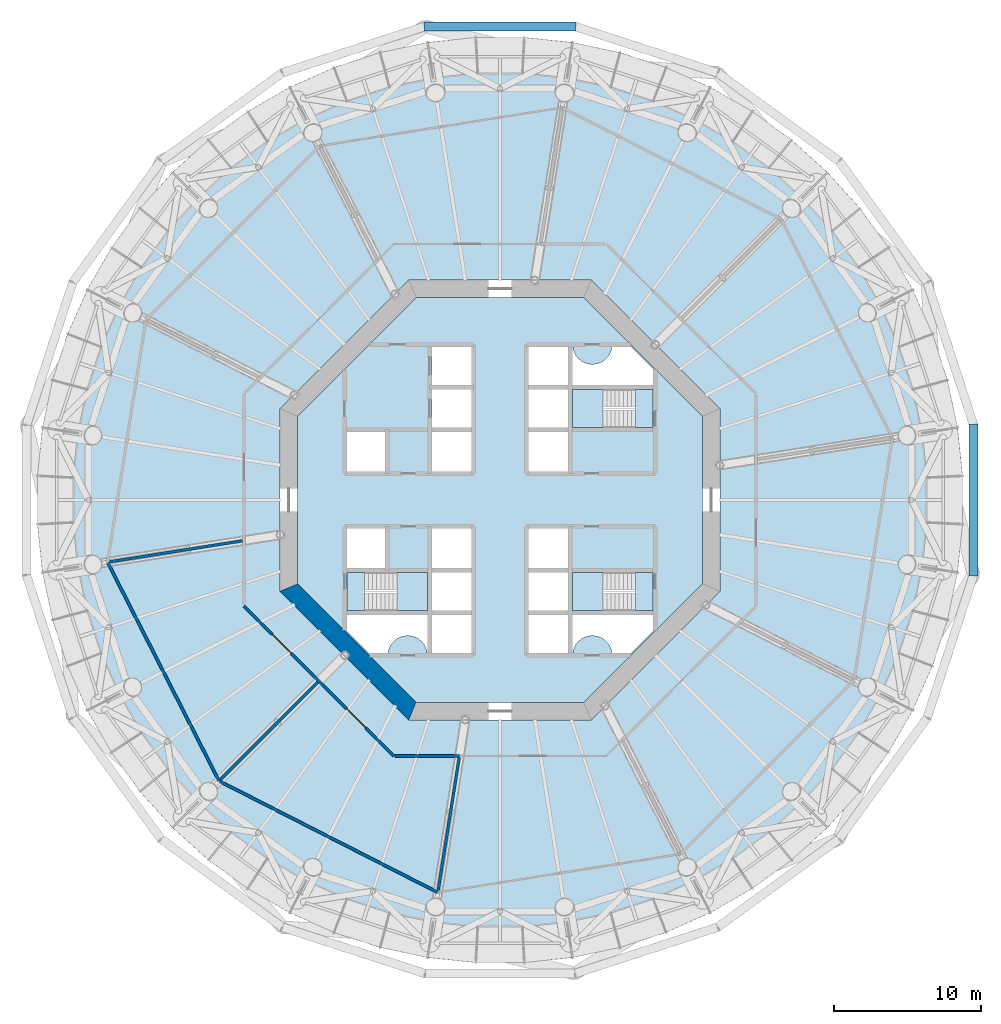
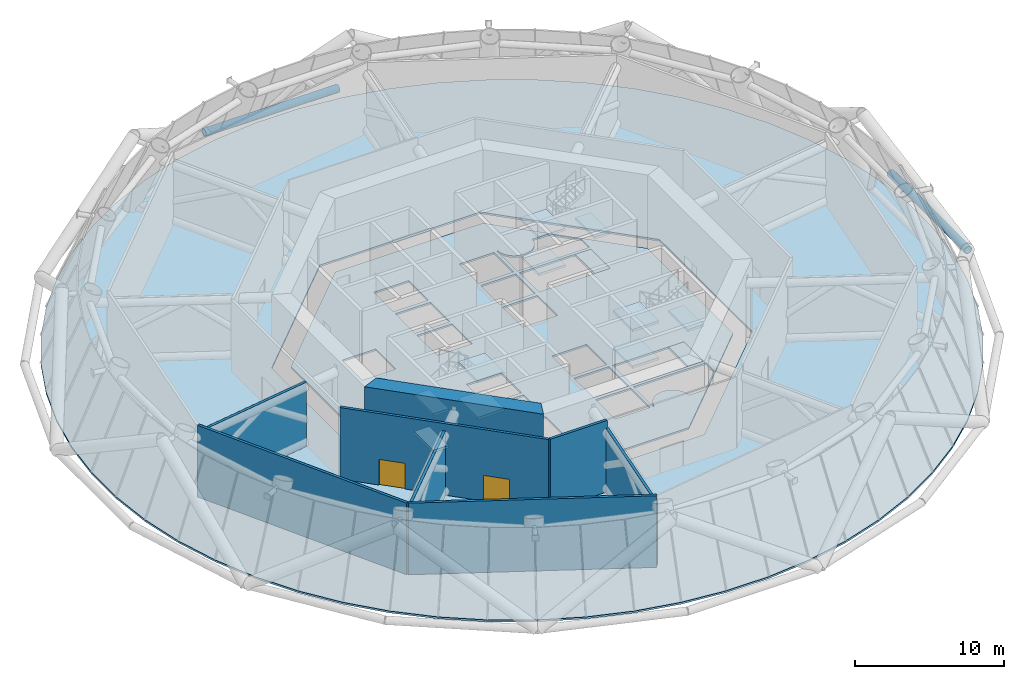
# One storey, part 7 of 18: 14 slabs, 8 walls, 2 doors, 2 members, 2 openings, 3 elements without a shape of their own.
"""IFC4 building model written with IfcOpenShell, lengths in metres."""

from ifc_helpers import new_model, si_unit, direction, frame, frame_2d, origin, origin_2d, place, context, subcontext, project, spatial, polyline, rectangle, circle, hollow_circle, outline, extrude, material, layer, layer_set, material_profile, profile_set, type_object, element, fill, aggregate, save


model = new_model("IFC4")

# Units and contexts
model_context = context("Model", 3, precision=1e-05, world=origin(), true_north=direction((0.0, 1.0)))
body_context = subcontext(model_context, "Body", "Model", "MODEL_VIEW")
ifc_project = project(units=[si_unit("LENGTHUNIT", "METRE"), si_unit("AREAUNIT", "SQUARE_METRE"), si_unit("VOLUMEUNIT", "CUBIC_METRE"), si_unit("PLANEANGLEUNIT", "RADIAN"), si_unit("MASSUNIT", "GRAM", prefix="KILO")], contexts=[model_context])

# Site, building, storey
site_placement = place(None, origin())
site = spatial("IfcSite", under=ifc_project, at=site_placement, CompositionType="ELEMENT")
building_placement = place(site_placement, origin())
building = spatial("IfcBuilding", under=site, at=building_placement, Name="Entoto Ring Tower", CompositionType="ELEMENT")
storey_placement = place(building_placement, frame((0.0, 0.0, 138.0)))
storey = spatial("IfcBuildingStorey", under=building, at=storey_placement, Name="L31", CompositionType="ELEMENT", Elevation=138.0)

# Members
ifc_material_1 = material(Name="Steel S355", Category="steel")
ifc_material_profile_1 = material_profile(ifc_material_1, hollow_circle(Radius=0.300048828125, WallThickness=0.030029296875, at=origin_2d()), Name="CHS 600 x 30")
ifc_material_2 = material(Name="Concrete C60/75", Category="concrete")
ifc_material_profile_2 = material_profile(ifc_material_2, circle(Radius=0.27001953125, at=origin_2d()), Name="Concrete C60/75 infill")
ifc_profile_set = profile_set([ifc_material_profile_1, ifc_material_profile_2], Name="Steel S355")
member_type = type_object("IfcMemberType", Name="Diagrid ring beam 600 x 30", PredefinedType="CHORD", material=ifc_profile_set)
for number, where, z_axis, x_axis, name in (
    (1, (95.182861328125, 112.29736328125, 0.0), (-1.0, 0.0, 0.0), (0.0, -1.0, 0.0), "DR1 ring 9 04"),
    (2, (122.29736328125, 74.817138671875, 0.0), (0.0, 1.0, 0.0), (-1.0, 0.0, 0.0), "DR1 ring 9 19"),
):
    element("IfcMember", number, at=place(storey_placement, frame(where, z_axis=z_axis, x_axis=x_axis)), inside=storey, type_object=member_type, Name=name, PredefinedType="CHORD", context=body_context, shape_type="SweptSolid", body=[
        extrude(hollow_circle(Radius=0.300048828125, WallThickness=0.030029296875, at=origin_2d()), origin(), (0.0, 0.0, 1.0), 10.36572265625),
    ])

# Slabs
ifc_material_3 = material(Name="Concrete C30/37", Category="concrete")
ifc_layer_1 = layer(ifc_material_3, 0.14990234375)
ifc_layer_set_1 = layer_set([ifc_layer_1], Name="Concrete C30/37")
slab_type_1 = type_object("IfcSlabType", Name="Composite floor slab 150 mm", PredefinedType="FLOOR", material=ifc_layer_set_1)
slab_1_placement = place(storey_placement, frame((0.0, 0.0, -0.14990234375)))
element("IfcSlab", 3, at=slab_1_placement, inside=storey, type_object=slab_type_1, Name="Floor slab L31", PredefinedType="FLOOR", context=body_context, shape_type="SweptSolid", body=[
    extrude(outline(polyline([(121.2109375, 84.943359375), (120.523193359375, 88.1787109375), (119.501220703125, 91.324462890625), (118.15576171875, 94.34619140625), (116.501953125, 97.210693359375), (114.557861328125, 99.886474609375), (112.344482421875, 102.344482421875), (109.886474609375, 104.557861328125), (107.210693359375, 106.501953125), (104.34619140625, 108.15576171875), (101.324462890625, 109.501220703125), (98.1787109375, 110.523193359375), (94.943359375, 111.2109375), (91.65380859375, 111.556640625), (88.34619140625, 111.556640625), (85.056640625, 111.2109375), (81.8212890625, 110.523193359375), (78.675537109375, 109.501220703125), (75.65380859375, 108.15576171875), (72.789306640625, 106.501953125), (70.113525390625, 104.557861328125), (67.655517578125, 102.344482421875), (65.442138671875, 99.886474609375), (63.498046875, 97.210693359375), (61.84423828125, 94.34619140625), (60.498779296875, 91.324462890625), (59.476806640625, 88.1787109375), (58.7890625, 84.943359375), (58.443359375, 81.65380859375), (58.443359375, 78.34619140625), (58.7890625, 75.056640625), (59.476806640625, 71.8212890625), (60.498779296875, 68.675537109375), (61.84423828125, 65.65380859375), (63.498046875, 62.789306640625), (65.442138671875, 60.113525390625), (67.655517578125, 57.655517578125), (70.113525390625, 55.442138671875), (72.789306640625, 53.498046875), (75.65380859375, 51.84423828125), (78.675537109375, 50.498779296875), (81.8212890625, 49.476806640625), (85.056640625, 48.7890625), (88.34619140625, 48.443359375), (91.65380859375, 48.443359375), (94.943359375, 48.7890625), (98.1787109375, 49.476806640625), (101.324462890625, 50.498779296875), (104.34619140625, 51.84423828125), (107.210693359375, 53.498046875), (109.886474609375, 55.442138671875), (112.344482421875, 57.655517578125), (114.557861328125, 60.113525390625), (116.501953125, 62.789306640625), (118.15576171875, 65.65380859375), (119.501220703125, 68.675537109375), (120.523193359375, 71.8212890625), (121.2109375, 75.056640625), (121.556640625, 78.34619140625), (121.556640625, 81.65380859375), (121.2109375, 84.943359375)]), holes=[polyline([(105.0, 73.786865234375), (105.0, 86.213134765625), (96.213134765625, 95.0), (83.786865234375, 95.0), (75.0, 86.213134765625), (75.0, 73.786865234375), (83.786865234375, 65.0), (96.213134765625, 65.0), (105.0, 73.786865234375)])]), origin(), (0.0, 0.0, 1.0), 0.14990234375),
])
ifc_material_4 = material(Name="Concrete C40/50", Category="concrete")
ifc_layer_2 = layer(ifc_material_4, 0.14990234375)
ifc_layer_set_2 = layer_set([ifc_layer_2], Name="Concrete C40/50")
slab_type_2 = type_object("IfcSlabType", Name="Core floor slab 150 mm reinforced concrete C40/50", PredefinedType="FLOOR", material=ifc_layer_set_2)
slab_2_placement = place(storey_placement, frame((0.0, 0.0, -0.14990234375)))
element("IfcSlab", 4, at=slab_2_placement, inside=storey, type_object=slab_type_2, Name="Core floor L31", PredefinedType="FLOOR", context=body_context, shape_type="SweptSolid", body=[
    extrude(outline(polyline([(103.800048828125, 74.283935546875), (103.800048828125, 85.716064453125), (95.716064453125, 93.800048828125), (84.283935546875, 93.800048828125), (76.199951171875, 85.716064453125), (76.199951171875, 74.283935546875), (84.283935546875, 66.199951171875), (95.716064453125, 66.199951171875), (103.800048828125, 74.283935546875)]), holes=[polyline([(100.449951171875, 84.949951171875), (100.449951171875, 87.550048828125), (94.949951171875, 87.550048828125), (94.949951171875, 84.949951171875), (100.449951171875, 84.949951171875)]), polyline([(85.050048828125, 72.449951171875), (85.050048828125, 75.050048828125), (79.550048828125, 75.050048828125), (79.550048828125, 72.449951171875), (85.050048828125, 72.449951171875)]), polyline([(100.449951171875, 72.449951171875), (100.449951171875, 75.050048828125), (94.949951171875, 75.050048828125), (94.949951171875, 72.449951171875), (100.449951171875, 72.449951171875)]), polyline([(91.949951171875, 84.949951171875), (94.64990234375, 84.949951171875), (94.64990234375, 87.550048828125), (91.949951171875, 87.550048828125), (91.949951171875, 84.949951171875)]), polyline([(91.949951171875, 72.449951171875), (94.64990234375, 72.449951171875), (94.64990234375, 75.050048828125), (91.949951171875, 75.050048828125), (91.949951171875, 72.449951171875)]), polyline([(91.949951171875, 69.550048828125), (94.64990234375, 69.550048828125), (94.64990234375, 72.14990234375), (91.949951171875, 72.14990234375), (91.949951171875, 69.550048828125)]), polyline([(85.35009765625, 72.449951171875), (88.050048828125, 72.449951171875), (88.050048828125, 75.050048828125), (85.35009765625, 75.050048828125), (85.35009765625, 72.449951171875)]), polyline([(85.35009765625, 81.949951171875), (88.050048828125, 81.949951171875), (88.050048828125, 84.64990234375), (85.35009765625, 84.64990234375), (85.35009765625, 81.949951171875)]), polyline([(91.949951171875, 75.35009765625), (94.64990234375, 75.35009765625), (94.64990234375, 78.050048828125), (91.949951171875, 78.050048828125), (91.949951171875, 75.35009765625)]), polyline([(79.550048828125, 81.949951171875), (82.14990234375, 81.949951171875), (82.14990234375, 84.64990234375), (79.550048828125, 84.64990234375), (79.550048828125, 81.949951171875)]), polyline([(79.550048828125, 75.35009765625), (82.14990234375, 75.35009765625), (82.14990234375, 78.050048828125), (79.550048828125, 78.050048828125), (79.550048828125, 75.35009765625)]), polyline([(91.949951171875, 87.85009765625), (94.64990234375, 87.85009765625), (94.64990234375, 90.449951171875), (91.949951171875, 90.449951171875), (91.949951171875, 87.85009765625)]), polyline([(85.35009765625, 69.550048828125), (88.050048828125, 69.550048828125), (88.050048828125, 72.14990234375), (85.35009765625, 72.14990234375), (85.35009765625, 69.550048828125)]), polyline([(91.949951171875, 81.949951171875), (94.64990234375, 81.949951171875), (94.64990234375, 84.64990234375), (91.949951171875, 84.64990234375), (91.949951171875, 81.949951171875)]), polyline([(85.35009765625, 75.35009765625), (88.050048828125, 75.35009765625), (88.050048828125, 78.050048828125), (85.35009765625, 78.050048828125), (85.35009765625, 75.35009765625)]), polyline([(85.35009765625, 84.949951171875), (88.050048828125, 84.949951171875), (88.050048828125, 87.550048828125), (85.35009765625, 87.550048828125), (85.35009765625, 84.949951171875)]), polyline([(85.35009765625, 87.85009765625), (88.050048828125, 87.85009765625), (88.050048828125, 90.449951171875), (85.35009765625, 90.449951171875), (85.35009765625, 87.85009765625)]), polyline([(94.89990234375, 90.5), (94.89990234375, 87.800048828125), (100.5, 87.800048828125), (100.5, 88.874755859375), (98.874755859375, 90.5), (97.64501953125, 90.5), (97.6435546875, 90.4677734375), (97.6240234375, 90.336669921875), (97.591796875, 90.2080078125), (97.547119140625, 90.08349609375), (97.490478515625, 89.963623046875), (97.422607421875, 89.85009765625), (97.343505859375, 89.74365234375), (97.254638671875, 89.6455078125), (97.156494140625, 89.556396484375), (97.050048828125, 89.4775390625), (96.936279296875, 89.409423828125), (96.816650390625, 89.352783203125), (96.69189453125, 89.30810546875), (96.5634765625, 89.27587890625), (96.432373046875, 89.256591796875), (96.300048828125, 89.25), (96.167724609375, 89.256591796875), (96.03662109375, 89.27587890625), (95.908203125, 89.30810546875), (95.783447265625, 89.352783203125), (95.66357421875, 89.409423828125), (95.550048828125, 89.4775390625), (95.443603515625, 89.556396484375), (95.345458984375, 89.6455078125), (95.25634765625, 89.74365234375), (95.177490234375, 89.85009765625), (95.109375, 89.963623046875), (95.052734375, 90.08349609375), (95.008056640625, 90.2080078125), (94.975830078125, 90.336669921875), (94.95654296875, 90.4677734375), (94.954833984375, 90.5), (94.89990234375, 90.5)]), polyline([(79.5, 71.125244140625), (81.125244140625, 69.5), (82.35498046875, 69.5), (82.3564453125, 69.5322265625), (82.3759765625, 69.663330078125), (82.408203125, 69.7919921875), (82.452880859375, 69.91650390625), (82.509521484375, 70.036376953125), (82.577392578125, 70.14990234375), (82.656494140625, 70.25634765625), (82.745361328125, 70.3544921875), (82.843505859375, 70.443603515625), (82.949951171875, 70.5224609375), (83.063720703125, 70.590576171875), (83.183349609375, 70.647216796875), (83.30810546875, 70.69189453125), (83.4365234375, 70.72412109375), (83.567626953125, 70.743408203125), (83.699951171875, 70.75), (83.832275390625, 70.743408203125), (83.96337890625, 70.72412109375), (84.091796875, 70.69189453125), (84.216552734375, 70.647216796875), (84.33642578125, 70.590576171875), (84.449951171875, 70.5224609375), (84.556396484375, 70.443603515625), (84.654541015625, 70.3544921875), (84.74365234375, 70.25634765625), (84.822509765625, 70.14990234375), (84.890625, 70.036376953125), (84.947265625, 69.91650390625), (84.991943359375, 69.7919921875), (85.024169921875, 69.663330078125), (85.04345703125, 69.5322265625), (85.045166015625, 69.5), (85.10009765625, 69.5), (85.10009765625, 72.199951171875), (79.5, 72.199951171875), (79.5, 71.125244140625)]), polyline([(97.64501953125, 69.5), (98.874755859375, 69.5), (100.5, 71.125244140625), (100.5, 72.199951171875), (94.89990234375, 72.199951171875), (94.89990234375, 69.5), (94.954833984375, 69.5), (94.95654296875, 69.5322265625), (94.975830078125, 69.663330078125), (95.008056640625, 69.7919921875), (95.052734375, 69.91650390625), (95.109375, 70.036376953125), (95.177490234375, 70.14990234375), (95.25634765625, 70.25634765625), (95.345458984375, 70.3544921875), (95.443603515625, 70.443603515625), (95.550048828125, 70.5224609375), (95.66357421875, 70.590576171875), (95.783447265625, 70.647216796875), (95.908203125, 70.69189453125), (96.03662109375, 70.72412109375), (96.167724609375, 70.743408203125), (96.300048828125, 70.75), (96.432373046875, 70.743408203125), (96.5634765625, 70.72412109375), (96.69189453125, 70.69189453125), (96.816650390625, 70.647216796875), (96.936279296875, 70.590576171875), (97.050048828125, 70.5224609375), (97.156494140625, 70.443603515625), (97.254638671875, 70.3544921875), (97.343505859375, 70.25634765625), (97.422607421875, 70.14990234375), (97.490478515625, 70.036376953125), (97.547119140625, 69.91650390625), (97.591796875, 69.7919921875), (97.6240234375, 69.663330078125), (97.6435546875, 69.5322265625), (97.64501953125, 69.5)])]), origin(), (0.0, 0.0, 1.0), 0.14990234375),
])

# Stair, slabs
ifc_material_5 = material(Name="Concrete C40/50", Category="concrete")
stair_type = type_object("IfcStairType", Name="Exit stair 1200 mm dog-leg reinforced concrete", PredefinedType="HALF_TURN_STAIR", material=ifc_material_5)
stair_1_placement = place(storey_placement, origin())
stair_1 = element("IfcStair", 5, at=stair_1_placement, inside=storey, type_object=stair_type, Name="Exit stair 1", PredefinedType="HALF_TURN_STAIR")
ifc_material_6 = material(Name="Concrete C40/50", Category="concrete")
ifc_layer_3 = layer(ifc_material_6, 0.199951171875)
ifc_layer_set_3 = layer_set([ifc_layer_3], Name="Concrete C40/50")
slab_type_3 = type_object("IfcSlabType", Name="Stair landing 200 mm reinforced concrete", PredefinedType="LANDING", material=ifc_layer_set_3)
slab_3_placement = place(storey_placement, frame((0.0, 0.0, -0.199951171875)))
slab_3 = element("IfcSlab", 6, at=slab_3_placement, type_object=slab_type_3, Name="ST1 landing 1", PredefinedType="LANDING", context=body_context, shape_type="SweptSolid", body=[
    extrude(outline(polyline([(100.449951171875, 84.949951171875), (100.449951171875, 87.550048828125), (99.25, 87.550048828125), (99.25, 84.949951171875), (100.449951171875, 84.949951171875)])), origin(), (0.0, 0.0, 1.0), 0.199951171875),
])
slab_4_placement = place(storey_placement, frame((0.0, 0.0, 1.300048828125)))
slab_4 = element("IfcSlab", 7, at=slab_4_placement, type_object=slab_type_3, Name="ST1 landing 2", PredefinedType="LANDING", context=body_context, shape_type="SweptSolid", body=[
    extrude(outline(polyline([(94.949951171875, 84.949951171875), (97.010009765625, 84.949951171875), (97.010009765625, 87.550048828125), (94.949951171875, 87.550048828125), (94.949951171875, 84.949951171875)])), origin(), (0.0, 0.0, 1.0), 0.199951171875),
])
slab_5_placement = place(storey_placement, frame((0.0, 0.0, 2.800048828125)))
slab_5 = element("IfcSlab", 8, at=slab_5_placement, type_object=slab_type_3, Name="ST1 landing 3", PredefinedType="LANDING", context=body_context, shape_type="SweptSolid", body=[
    extrude(outline(polyline([(99.25, 84.949951171875), (100.449951171875, 84.949951171875), (100.449951171875, 87.550048828125), (99.25, 87.550048828125), (99.25, 84.949951171875)])), origin(), (0.0, 0.0, 1.0), 0.199951171875),
])
slab_6_placement = place(storey_placement, frame((0.0, 0.0, 4.300048828125)))
slab_6 = element("IfcSlab", 9, at=slab_6_placement, type_object=slab_type_3, Name="ST1 landing 4", PredefinedType="LANDING", context=body_context, shape_type="SweptSolid", body=[
    extrude(outline(polyline([(94.949951171875, 84.949951171875), (97.010009765625, 84.949951171875), (97.010009765625, 87.550048828125), (94.949951171875, 87.550048828125), (94.949951171875, 84.949951171875)])), origin(), (0.0, 0.0, 1.0), 0.199951171875),
])
aggregate(stair_1, [slab_3, slab_4, slab_5, slab_6])

stair_2_placement = place(storey_placement, origin())
stair_2 = element("IfcStair", 10, at=stair_2_placement, inside=storey, type_object=stair_type, Name="Exit stair 2", PredefinedType="HALF_TURN_STAIR")
slab_7_placement = place(storey_placement, frame((0.0, 0.0, -0.199951171875)))
slab_7 = element("IfcSlab", 11, at=slab_7_placement, type_object=slab_type_3, Name="ST2 landing 1", PredefinedType="LANDING", context=body_context, shape_type="SweptSolid", body=[
    extrude(outline(polyline([(80.75, 72.449951171875), (80.75, 75.050048828125), (79.550048828125, 75.050048828125), (79.550048828125, 72.449951171875), (80.75, 72.449951171875)])), origin(), (0.0, 0.0, 1.0), 0.199951171875),
])
slab_8_placement = place(storey_placement, frame((0.0, 0.0, 1.300048828125)))
slab_8 = element("IfcSlab", 12, at=slab_8_placement, type_object=slab_type_3, Name="ST2 landing 2", PredefinedType="LANDING", context=body_context, shape_type="SweptSolid", body=[
    extrude(outline(polyline([(82.989990234375, 72.449951171875), (85.050048828125, 72.449951171875), (85.050048828125, 75.050048828125), (82.989990234375, 75.050048828125), (82.989990234375, 72.449951171875)])), origin(), (0.0, 0.0, 1.0), 0.199951171875),
])
slab_9_placement = place(storey_placement, frame((0.0, 0.0, 2.800048828125)))
slab_9 = element("IfcSlab", 13, at=slab_9_placement, type_object=slab_type_3, Name="ST2 landing 3", PredefinedType="LANDING", context=body_context, shape_type="SweptSolid", body=[
    extrude(outline(polyline([(79.550048828125, 72.449951171875), (80.75, 72.449951171875), (80.75, 75.050048828125), (79.550048828125, 75.050048828125), (79.550048828125, 72.449951171875)])), origin(), (0.0, 0.0, 1.0), 0.199951171875),
])
slab_10_placement = place(storey_placement, frame((0.0, 0.0, 4.300048828125)))
slab_10 = element("IfcSlab", 14, at=slab_10_placement, type_object=slab_type_3, Name="ST2 landing 4", PredefinedType="LANDING", context=body_context, shape_type="SweptSolid", body=[
    extrude(outline(polyline([(82.989990234375, 72.449951171875), (85.050048828125, 72.449951171875), (85.050048828125, 75.050048828125), (82.989990234375, 75.050048828125), (82.989990234375, 72.449951171875)])), origin(), (0.0, 0.0, 1.0), 0.199951171875),
])
aggregate(stair_2, [slab_7, slab_8, slab_9, slab_10])

stair_3_placement = place(storey_placement, origin())
stair_3 = element("IfcStair", 15, at=stair_3_placement, inside=storey, type_object=stair_type, Name="Exit stair 3", PredefinedType="HALF_TURN_STAIR")
slab_11_placement = place(storey_placement, frame((0.0, 0.0, -0.199951171875)))
slab_11 = element("IfcSlab", 16, at=slab_11_placement, type_object=slab_type_3, Name="ST3 landing 1", PredefinedType="LANDING", context=body_context, shape_type="SweptSolid", body=[
    extrude(outline(polyline([(100.449951171875, 72.449951171875), (100.449951171875, 75.050048828125), (99.25, 75.050048828125), (99.25, 72.449951171875), (100.449951171875, 72.449951171875)])), origin(), (0.0, 0.0, 1.0), 0.199951171875),
])
slab_12_placement = place(storey_placement, frame((0.0, 0.0, 1.300048828125)))
slab_12 = element("IfcSlab", 17, at=slab_12_placement, type_object=slab_type_3, Name="ST3 landing 2", PredefinedType="LANDING", context=body_context, shape_type="SweptSolid", body=[
    extrude(outline(polyline([(94.949951171875, 72.449951171875), (97.010009765625, 72.449951171875), (97.010009765625, 75.050048828125), (94.949951171875, 75.050048828125), (94.949951171875, 72.449951171875)])), origin(), (0.0, 0.0, 1.0), 0.199951171875),
])
slab_13_placement = place(storey_placement, frame((0.0, 0.0, 2.800048828125)))
slab_13 = element("IfcSlab", 18, at=slab_13_placement, type_object=slab_type_3, Name="ST3 landing 3", PredefinedType="LANDING", context=body_context, shape_type="SweptSolid", body=[
    extrude(outline(polyline([(99.25, 72.449951171875), (100.449951171875, 72.449951171875), (100.449951171875, 75.050048828125), (99.25, 75.050048828125), (99.25, 72.449951171875)])), origin(), (0.0, 0.0, 1.0), 0.199951171875),
])
slab_14_placement = place(storey_placement, frame((0.0, 0.0, 4.300048828125)))
slab_14 = element("IfcSlab", 19, at=slab_14_placement, type_object=slab_type_3, Name="ST3 landing 4", PredefinedType="LANDING", context=body_context, shape_type="SweptSolid", body=[
    extrude(outline(polyline([(94.949951171875, 72.449951171875), (97.010009765625, 72.449951171875), (97.010009765625, 75.050048828125), (94.949951171875, 75.050048828125), (94.949951171875, 72.449951171875)])), origin(), (0.0, 0.0, 1.0), 0.199951171875),
])
aggregate(stair_3, [slab_11, slab_12, slab_13, slab_14])

# Walls
ifc_material_7 = material(Name="Concrete C60/75", Category="concrete")
ifc_layer_4 = layer(ifc_material_7, 1.199951171875)
ifc_layer_set_4 = layer_set([ifc_layer_4], Name="Concrete C60/75")
wall_type_1 = type_object("IfcWallType", Name="Core shear wall 1200 mm reinforced concrete C60/75", PredefinedType="SHEAR", material=ifc_layer_set_4)
wall_1_placement = place(storey_placement, frame((75.60009765625, 74.035400390625, 0.0), z_axis=(0.0, 0.0, 1.0), x_axis=(0.707106781187, -0.707106781187, 0.0)))
element("IfcWall", 20, at=wall_1_placement, inside=storey, type_object=wall_type_1, Name="wall-L31-core-5", PredefinedType="SHEAR", context=body_context, shape_type="SweptSolid", body=[
    extrude(outline(polyline([(-0.24853515625, -0.60009765625), (12.177734375, -0.60009765625), (11.6806640625, 0.60009765625), (0.24853515625, 0.60009765625), (-0.24853515625, -0.60009765625)])), origin(), (0.0, 0.0, 1.0), 6.0),
])
ifc_material_8 = material(Name="Concrete C20/25", Category="concrete")
ifc_layer_5 = layer(ifc_material_8, 0.199951171875)
ifc_layer_set_5 = layer_set([ifc_layer_5], Name="Concrete C20/25")
wall_type_2 = type_object("IfcWallType", Name="Plant room wall 200 mm two-hour concrete", PredefinedType="PARTITIONING", material=ifc_layer_set_5)
wall_2_placement = place(storey_placement, frame((70.83740234375, 60.83740234375, 0.0), z_axis=(0.0, 0.0, 1.0), x_axis=(-0.453988012493, 0.891007791499, 0.0)))
element("IfcWall", 21, at=wall_2_placement, inside=storey, type_object=wall_type_2, Name="partition-L31-011", PredefinedType="PARTITIONING", context=body_context, shape_type="SweptSolid", body=[
    extrude(rectangle(XDim=16.690185546875, YDim=0.199951171875, at=frame_2d((8.34521484375, 0.0))), origin(), (0.0, 0.0, 1.0), 5.85009765625),
])
wall_3_placement = place(storey_placement, frame((85.728271484375, 53.250244140625, 0.0), z_axis=(0.0, 0.0, 1.0), x_axis=(-0.89101219801, 0.453979364066, 0.0)))
element("IfcWall", 22, at=wall_3_placement, inside=storey, type_object=wall_type_2, Name="partition-L31-012", PredefinedType="PARTITIONING", context=body_context, shape_type="SweptSolid", body=[
    extrude(rectangle(XDim=16.654052734375, YDim=0.199951171875, at=frame_2d((8.3271484375, 0.0))), origin(), (0.0, 0.0, 1.0), 5.85009765625),
])

# Wall, openings, doors
wall_4_placement = place(storey_placement, frame((82.766845703125, 62.53759765625, 0.0), z_axis=(0.0, 0.0, 1.0), x_axis=(-0.707106781187, 0.707106781187, 0.0)))
wall_4 = element("IfcWall", 23, at=wall_4_placement, inside=storey, type_object=wall_type_2, Name="partition-L31-015", PredefinedType="PARTITIONING", context=body_context, shape_type="SweptSolid", body=[
    extrude(rectangle(XDim=14.46630859375, YDim=0.199951171875, at=frame_2d((7.233154296875, 0.0))), origin(), (0.0, 0.0, 1.0), 5.85009765625),
])
opening_1_placement = place(wall_4_placement, frame((9.94970703125, 0.0, 0.0)))
opening_1 = element("IfcOpeningElement", 24, at=opening_1_placement, cuts=wall_4, Name="Opening A14-D06", PredefinedType="OPENING", context=body_context, shape_type="SweptSolid", body=[
    extrude(rectangle(XDim=1.800048828125, YDim=2.10009765625, at=frame_2d((0.89990234375, 1.050048828125))), frame((0.0, 0.10986328125, 0.0), z_axis=(0.0, -1.0, 0.0), x_axis=(1.0, 0.0, 0.0)), (0.0, 0.0, 1.0), 0.219970703125),
])
opening_2_placement = place(wall_4_placement, frame((2.716796875, 0.0, 0.0)))
opening_2 = element("IfcOpeningElement", 25, at=opening_2_placement, cuts=wall_4, Name="Opening A14-D07", PredefinedType="OPENING", context=body_context, shape_type="SweptSolid", body=[
    extrude(rectangle(XDim=1.800048828125, YDim=2.10009765625, at=frame_2d((0.89990234375, 1.050048828125))), frame((0.0, 0.10986328125, 0.0), z_axis=(0.0, -1.0, 0.0), x_axis=(1.0, 0.0, 0.0)), (0.0, 0.0, 1.0), 0.219970703125),
])
ifc_material_9 = material(Name="Fire-resisting steel door set", Category="steel")
door_type = type_object("IfcDoorType", Name="Door 1800 x 2100 double leaf FD60 steel door", OperationType="DOUBLE_DOOR_SINGLE_SWING", PredefinedType="DOOR", material=ifc_material_9)
door_1_placement = place(opening_1_placement, origin())
door_1 = element("IfcDoor", 26, at=door_1_placement, inside=storey, type_object=door_type, Name="Door A14-D06", OperationType="DOUBLE_DOOR_SINGLE_SWING", OverallHeight=2.10009765625, OverallWidth=1.800048828125, PredefinedType="DOOR", context=body_context, shape_type="SweptSolid", body=[
    extrude(rectangle(XDim=1.800048828125, YDim=2.10009765625, at=frame_2d((0.89990234375, 1.050048828125))), frame((0.0, 0.02490234375, 0.0), z_axis=(0.0, -1.0, 0.0), x_axis=(1.0, 0.0, 0.0)), (0.0, 0.0, 1.0), 0.050048828125),
])
fill(opening_1, door_1)
door_2_placement = place(opening_2_placement, origin())
door_2 = element("IfcDoor", 27, at=door_2_placement, inside=storey, type_object=door_type, Name="Door A14-D07", OperationType="DOUBLE_DOOR_SINGLE_SWING", OverallHeight=2.10009765625, OverallWidth=1.800048828125, PredefinedType="DOOR", context=body_context, shape_type="SweptSolid", body=[
    extrude(rectangle(XDim=1.800048828125, YDim=2.10009765625, at=frame_2d((0.89990234375, 1.050048828125))), frame((0.0, 0.02490234375, 0.0), z_axis=(0.0, -1.0, 0.0), x_axis=(1.0, 0.0, 0.0)), (0.0, 0.0, 1.0), 0.050048828125),
])
fill(opening_2, door_2)

# Walls
wall_5_placement = place(storey_placement, frame((82.83740234375, 62.53759765625, 0.0), z_axis=(0.0, 0.0, 1.0), x_axis=(1.0, 0.0, 0.0)))
element("IfcWall", 28, at=wall_5_placement, inside=storey, type_object=wall_type_2, Name="partition-L31-031", PredefinedType="PARTITIONING", context=body_context, shape_type="SweptSolid", body=[
    extrude(rectangle(XDim=4.396728515625, YDim=0.199951171875, at=frame_2d((2.1982421875, 0.0))), origin(), (0.0, 0.0, 1.0), 5.85009765625),
])
ifc_material_10 = material(Name="Concrete C20/25", Category="concrete")
ifc_layer_6 = layer(ifc_material_10, 0.199951171875)
ifc_layer_set_6 = layer_set([ifc_layer_6], Name="Concrete C20/25")
wall_type_3 = type_object("IfcWallType", Name="Plant room wall 200 mm two-hour concrete, 5250 mm high", PredefinedType="PARTITIONING", material=ifc_layer_set_6)
wall_6_placement = place(storey_placement, frame((70.9345703125, 60.9345703125, 0.0), z_axis=(0.0, 0.0, 1.0), x_axis=(0.707106781187, 0.707106781187, 0.0)))
element("IfcWall", 29, at=wall_6_placement, inside=storey, type_object=wall_type_3, Name="partition-L31-021", PredefinedType="PARTITIONING", context=body_context, shape_type="SweptSolid", body=[
    extrude(rectangle(XDim=9.39990234375, YDim=0.199951171875, at=frame_2d((4.699951171875, 0.0))), origin(), (0.0, 0.0, 1.0), 5.25),
])
for number, where, z_axis, x_axis, name in (
    (30, (63.369384765625, 75.781982421875, 0.0), (0.0, 0.0, 1.0), (0.987687256754, 0.156441307989, 0.0), "partition-L31-023"),
    (31, (85.781982421875, 53.369384765625, 0.0), (0.0, 0.0, 1.0), (0.156441307989, 0.987687256754, 0.0), "partition-L31-024"),
):
    element("IfcWall", number, at=place(storey_placement, frame(where, z_axis=z_axis, x_axis=x_axis)), inside=storey, type_object=wall_type_3, Name=name, PredefinedType="PARTITIONING", context=body_context, shape_type="SweptSolid", body=[
        extrude(rectangle(XDim=9.165283203125, YDim=0.199951171875, at=frame_2d((4.58251953125, 0.0))), origin(), (0.0, 0.0, 1.0), 5.25),
    ])

save(model, "model.ifc")
